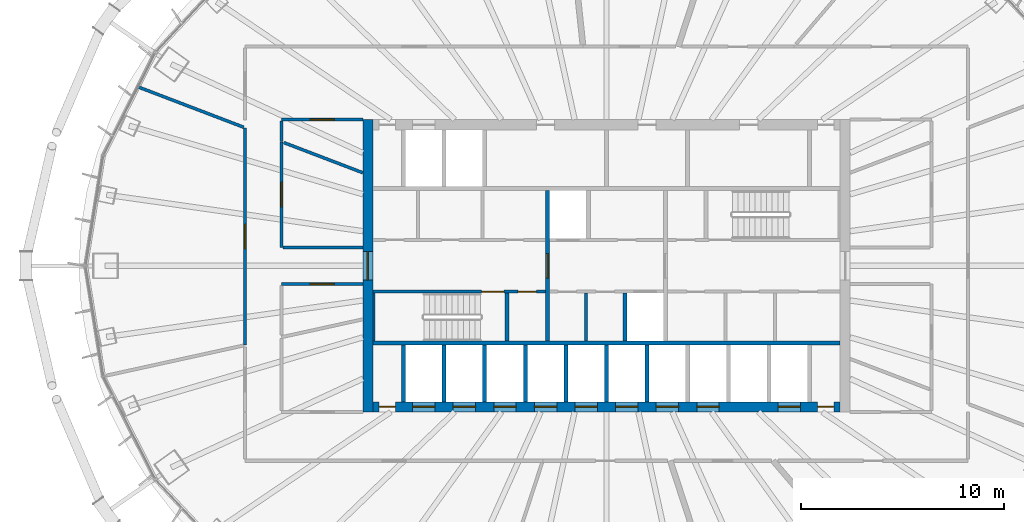
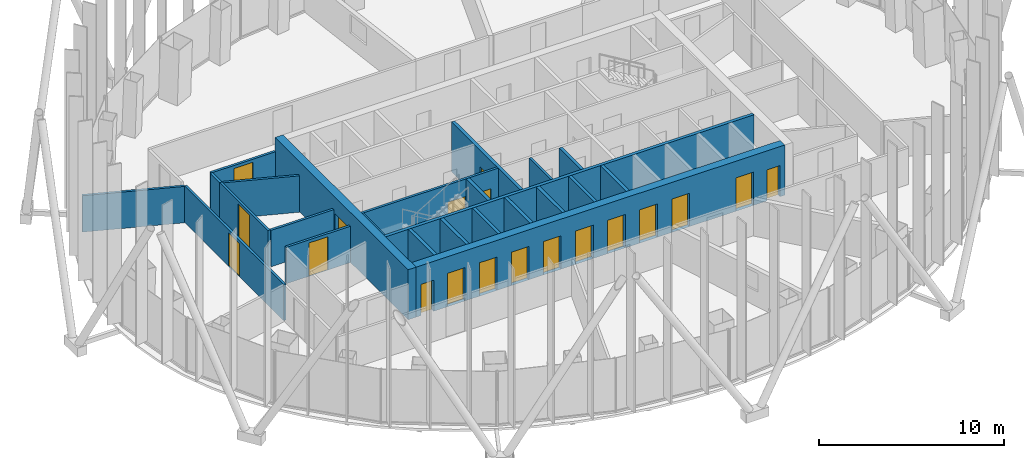
# One storey, part 9 of 20: 24 walls, 19 doors, 19 openings.
"""IFC4 building model written with IfcOpenShell, lengths in metres."""

from ifc_helpers import new_model, si_unit, direction, frame, frame_2d, origin, place, context, subcontext, project, spatial, rectangle, extrude, material, layer, layer_set, type_object, element, fill, save


model = new_model("IFC4")

# Units and contexts
model_context = context("Model", 3, precision=1e-05, world=origin(), true_north=direction((0.0, 1.0)))
body_context = subcontext(model_context, "Body", "Model", "MODEL_VIEW")
ifc_project = project(units=[si_unit("LENGTHUNIT", "METRE"), si_unit("AREAUNIT", "SQUARE_METRE"), si_unit("VOLUMEUNIT", "CUBIC_METRE"), si_unit("PLANEANGLEUNIT", "RADIAN"), si_unit("MASSUNIT", "GRAM", prefix="KILO")], contexts=[model_context])

# Site, building, storey
site_placement = place(None, origin())
site = spatial("IfcSite", under=ifc_project, at=site_placement, CompositionType="ELEMENT")
building_placement = place(site_placement, origin())
building = spatial("IfcBuilding", under=site, at=building_placement, Name="Siaravel Broadcast Tower", CompositionType="ELEMENT")
storey_placement = place(building_placement, frame((0.0, 0.0, 108.199951171875)))
storey = spatial("IfcBuildingStorey", under=building, at=storey_placement, Name="L25", CompositionType="ELEMENT", Elevation=108.199951171875)

# Wall
ifc_material_1 = material(Name="Concrete blockwork", Category="masonry")
ifc_layer_1 = layer(ifc_material_1, 0.14990234375)
ifc_layer_set_1 = layer_set([ifc_layer_1], Name="Concrete blockwork")
wall_type_1 = type_object("IfcWallType", Name="Core partition 150", PredefinedType="PARTITIONING", material=ifc_layer_set_1)
wall_1_placement = place(storey_placement, frame((-1.0, -3.699951171875, 0.0), z_axis=(0.0, 0.0, 1.0), x_axis=(0.0, 1.0, 0.0)))
element("IfcWall", 1, at=wall_1_placement, inside=storey, type_object=wall_type_1, Name="L25 core partition PSM0", PredefinedType="PARTITIONING", context=body_context, shape_type="SweptSolid", body=[
    extrude(rectangle(XDim=2.349853515625, YDim=0.14990234375, at=frame_2d((1.1748046875, 0.0))), origin(), (0.0, 0.0, 1.0), 3.300048828125),
])

# Wall, opening, door
ifc_material_2 = material(Name="Concrete C60/75", Category="concrete")
ifc_layer_2 = layer(ifc_material_2, 0.5)
ifc_layer_set_2 = layer_set([ifc_layer_2], Name="Concrete C60/75")
wall_type_2 = type_object("IfcWallType", Name="Core wall 500", PredefinedType="SHEAR", material=ifc_layer_set_2)
wall_2_placement = place(storey_placement, frame((-11.75, -7.199951171875, 0.0), z_axis=(0.0, 0.0, 1.0), x_axis=(0.0, 1.0, 0.0)))
wall_2 = element("IfcWall", 2, at=wall_2_placement, inside=storey, type_object=wall_type_2, Name="L25 core wall OW", PredefinedType="SHEAR", context=body_context, shape_type="SweptSolid", body=[
    extrude(rectangle(XDim=14.39990234375, YDim=0.5, at=frame_2d((7.199951171875, 0.0))), origin(), (0.0, 0.0, 1.0), 3.300048828125),
])
opening_1_placement = place(wall_2_placement, frame((6.5, 0.0, 0.0)))
opening_1 = element("IfcOpeningElement", 3, at=opening_1_placement, cuts=wall_2, Name="Opening L25-DX-W", PredefinedType="OPENING", context=body_context, shape_type="SweptSolid", body=[
    extrude(rectangle(XDim=1.39990234375, YDim=2.199951171875, at=frame_2d((0.699951171875, 1.10009765625))), frame((0.0, 0.260009765625, 0.0), z_axis=(0.0, -1.0, 0.0), x_axis=(1.0, 0.0, 0.0)), (0.0, 0.0, 1.0), 0.52001953125),
])
ifc_material_3 = material(Name="Steel", Category="steel")
door_type_1 = type_object("IfcDoorType", Name="Core exit door 1400", OperationType="DOUBLE_DOOR_SINGLE_SWING", PredefinedType="DOOR", material=ifc_material_3)
door_1_placement = place(opening_1_placement, origin())
door_1 = element("IfcDoor", 4, at=door_1_placement, inside=storey, type_object=door_type_1, Name="L25 door DX-W", OperationType="DOUBLE_DOOR_SINGLE_SWING", OverallHeight=2.199951171875, OverallWidth=1.39990234375, PredefinedType="DOOR", context=body_context, shape_type="SweptSolid", body=[
    extrude(rectangle(XDim=1.39990234375, YDim=2.199951171875, at=frame_2d((0.699951171875, 1.10009765625))), frame((0.0, 0.02490234375, 0.0), z_axis=(0.0, -1.0, 0.0), x_axis=(1.0, 0.0, 0.0)), (0.0, 0.0, 1.0), 0.050048828125),
])
fill(opening_1, door_1)

# Wall, openings, doors
wall_3_placement = place(storey_placement, frame((-11.5, -6.949951171875, 0.0), z_axis=(0.0, 0.0, 1.0), x_axis=(1.0, 0.0, 0.0)))
wall_3 = element("IfcWall", 5, at=wall_3_placement, inside=storey, type_object=wall_type_2, Name="L25 core wall OS", PredefinedType="SHEAR", context=body_context, shape_type="SweptSolid", body=[
    extrude(rectangle(XDim=23.0, YDim=0.5, at=frame_2d((11.5, 0.0))), origin(), (0.0, 0.0, 1.0), 3.300048828125),
])
opening_2_placement = place(wall_3_placement, frame((1.949951171875, 0.0, 0.0)))
opening_2 = element("IfcOpeningElement", 6, at=opening_2_placement, cuts=wall_3, Name="Opening LD-LP1-L25", PredefinedType="OPENING", context=body_context, shape_type="SweptSolid", body=[
    extrude(rectangle(XDim=1.10009765625, YDim=2.199951171875, at=frame_2d((0.550048828125, 1.10009765625))), frame((0.0, 0.260009765625, 0.0), z_axis=(0.0, -1.0, 0.0), x_axis=(1.0, 0.0, 0.0)), (0.0, 0.0, 1.0), 0.52001953125),
])
opening_3_placement = place(wall_3_placement, frame((3.949951171875, 0.0, 0.0)))
opening_3 = element("IfcOpeningElement", 7, at=opening_3_placement, cuts=wall_3, Name="Opening LD-LP2-L25", PredefinedType="OPENING", context=body_context, shape_type="SweptSolid", body=[
    extrude(rectangle(XDim=1.10009765625, YDim=2.199951171875, at=frame_2d((0.550048828125, 1.10009765625))), frame((0.0, 0.260009765625, 0.0), z_axis=(0.0, -1.0, 0.0), x_axis=(1.0, 0.0, 0.0)), (0.0, 0.0, 1.0), 0.52001953125),
])
opening_4_placement = place(wall_3_placement, frame((5.949951171875, 0.0, 0.0)))
opening_4 = element("IfcOpeningElement", 8, at=opening_4_placement, cuts=wall_3, Name="Opening LD-LP3-L25", PredefinedType="OPENING", context=body_context, shape_type="SweptSolid", body=[
    extrude(rectangle(XDim=1.10009765625, YDim=2.199951171875, at=frame_2d((0.550048828125, 1.10009765625))), frame((0.0, 0.260009765625, 0.0), z_axis=(0.0, -1.0, 0.0), x_axis=(1.0, 0.0, 0.0)), (0.0, 0.0, 1.0), 0.52001953125),
])
opening_5_placement = place(wall_3_placement, frame((7.949951171875, 0.0, 0.0)))
opening_5 = element("IfcOpeningElement", 9, at=opening_5_placement, cuts=wall_3, Name="Opening LD-LP4-L25", PredefinedType="OPENING", context=body_context, shape_type="SweptSolid", body=[
    extrude(rectangle(XDim=1.10009765625, YDim=2.199951171875, at=frame_2d((0.550048828125, 1.10009765625))), frame((0.0, 0.260009765625, 0.0), z_axis=(0.0, -1.0, 0.0), x_axis=(1.0, 0.0, 0.0)), (0.0, 0.0, 1.0), 0.52001953125),
])
opening_6_placement = place(wall_3_placement, frame((9.949951171875, 0.0, 0.0)))
opening_6 = element("IfcOpeningElement", 10, at=opening_6_placement, cuts=wall_3, Name="Opening LD-LP5-L25", PredefinedType="OPENING", context=body_context, shape_type="SweptSolid", body=[
    extrude(rectangle(XDim=1.10009765625, YDim=2.199951171875, at=frame_2d((0.550048828125, 1.10009765625))), frame((0.0, 0.260009765625, 0.0), z_axis=(0.0, -1.0, 0.0), x_axis=(1.0, 0.0, 0.0)), (0.0, 0.0, 1.0), 0.52001953125),
])
opening_7_placement = place(wall_3_placement, frame((11.949951171875, 0.0, 0.0)))
opening_7 = element("IfcOpeningElement", 11, at=opening_7_placement, cuts=wall_3, Name="Opening LD-LP6-L25", PredefinedType="OPENING", context=body_context, shape_type="SweptSolid", body=[
    extrude(rectangle(XDim=1.10009765625, YDim=2.199951171875, at=frame_2d((0.550048828125, 1.10009765625))), frame((0.0, 0.260009765625, 0.0), z_axis=(0.0, -1.0, 0.0), x_axis=(1.0, 0.0, 0.0)), (0.0, 0.0, 1.0), 0.52001953125),
])
opening_8_placement = place(wall_3_placement, frame((13.949951171875, 0.0, 0.0)))
opening_8 = element("IfcOpeningElement", 12, at=opening_8_placement, cuts=wall_3, Name="Opening LD-LP7-L25", PredefinedType="OPENING", context=body_context, shape_type="SweptSolid", body=[
    extrude(rectangle(XDim=1.10009765625, YDim=2.199951171875, at=frame_2d((0.550048828125, 1.10009765625))), frame((0.0, 0.260009765625, 0.0), z_axis=(0.0, -1.0, 0.0), x_axis=(1.0, 0.0, 0.0)), (0.0, 0.0, 1.0), 0.52001953125),
])
opening_9_placement = place(wall_3_placement, frame((15.949951171875, 0.0, 0.0)))
opening_9 = element("IfcOpeningElement", 13, at=opening_9_placement, cuts=wall_3, Name="Opening LD-LP8-L25", PredefinedType="OPENING", context=body_context, shape_type="SweptSolid", body=[
    extrude(rectangle(XDim=1.10009765625, YDim=2.199951171875, at=frame_2d((0.550048828125, 1.10009765625))), frame((0.0, 0.260009765625, 0.0), z_axis=(0.0, -1.0, 0.0), x_axis=(1.0, 0.0, 0.0)), (0.0, 0.0, 1.0), 0.52001953125),
])
opening_10_placement = place(wall_3_placement, frame((19.949951171875, 0.0, 0.0)))
opening_10 = element("IfcOpeningElement", 14, at=opening_10_placement, cuts=wall_3, Name="Opening LD-SV1-L25", PredefinedType="OPENING", context=body_context, shape_type="SweptSolid", body=[
    extrude(rectangle(XDim=1.10009765625, YDim=2.199951171875, at=frame_2d((0.550048828125, 1.10009765625))), frame((0.0, 0.260009765625, 0.0), z_axis=(0.0, -1.0, 0.0), x_axis=(1.0, 0.0, 0.0)), (0.0, 0.0, 1.0), 0.52001953125),
])
opening_11_placement = place(wall_3_placement, frame((0.300048828125, 0.0, 0.0)))
opening_11 = element("IfcOpeningElement", 15, at=opening_11_placement, cuts=wall_3, Name="Opening L25-DRSW", PredefinedType="OPENING", context=body_context, shape_type="SweptSolid", body=[
    extrude(rectangle(XDim=0.800048828125, YDim=2.050048828125, at=frame_2d((0.39990234375, 1.02490234375))), frame((0.0, 0.260009765625, 0.0), z_axis=(0.0, -1.0, 0.0), x_axis=(1.0, 0.0, 0.0)), (0.0, 0.0, 1.0), 0.52001953125),
])
opening_12_placement = place(wall_3_placement, frame((21.89990234375, 0.0, 0.0)))
opening_12 = element("IfcOpeningElement", 16, at=opening_12_placement, cuts=wall_3, Name="Opening L25-DRSE", PredefinedType="OPENING", context=body_context, shape_type="SweptSolid", body=[
    extrude(rectangle(XDim=0.800048828125, YDim=2.050048828125, at=frame_2d((0.39990234375, 1.02490234375))), frame((0.0, 0.260009765625, 0.0), z_axis=(0.0, -1.0, 0.0), x_axis=(1.0, 0.0, 0.0)), (0.0, 0.0, 1.0), 0.52001953125),
])
ifc_material_4 = material(Name="Stainless steel 316L", Category="steel")
door_type_2 = type_object("IfcDoorType", Name="Lift landing door 1100", OperationType="DOUBLE_DOOR_SLIDING", PredefinedType="DOOR", material=ifc_material_4)
door_2_placement = place(opening_2_placement, origin())
door_2 = element("IfcDoor", 17, at=door_2_placement, inside=storey, type_object=door_type_2, Name="Landing door LP1 L25", OperationType="DOUBLE_DOOR_SLIDING", OverallHeight=2.199951171875, OverallWidth=1.10009765625, PredefinedType="DOOR", context=body_context, shape_type="SweptSolid", body=[
    extrude(rectangle(XDim=1.10009765625, YDim=2.199951171875, at=frame_2d((0.550048828125, 1.10009765625))), frame((0.0, 0.02490234375, 0.0), z_axis=(0.0, -1.0, 0.0), x_axis=(1.0, 0.0, 0.0)), (0.0, 0.0, 1.0), 0.050048828125),
])
fill(opening_2, door_2)
door_3_placement = place(opening_3_placement, origin())
door_3 = element("IfcDoor", 18, at=door_3_placement, inside=storey, type_object=door_type_2, Name="Landing door LP2 L25", OperationType="DOUBLE_DOOR_SLIDING", OverallHeight=2.199951171875, OverallWidth=1.10009765625, PredefinedType="DOOR", context=body_context, shape_type="SweptSolid", body=[
    extrude(rectangle(XDim=1.10009765625, YDim=2.199951171875, at=frame_2d((0.550048828125, 1.10009765625))), frame((0.0, 0.02490234375, 0.0), z_axis=(0.0, -1.0, 0.0), x_axis=(1.0, 0.0, 0.0)), (0.0, 0.0, 1.0), 0.050048828125),
])
fill(opening_3, door_3)
door_4_placement = place(opening_4_placement, origin())
door_4 = element("IfcDoor", 19, at=door_4_placement, inside=storey, type_object=door_type_2, Name="Landing door LP3 L25", OperationType="DOUBLE_DOOR_SLIDING", OverallHeight=2.199951171875, OverallWidth=1.10009765625, PredefinedType="DOOR", context=body_context, shape_type="SweptSolid", body=[
    extrude(rectangle(XDim=1.10009765625, YDim=2.199951171875, at=frame_2d((0.550048828125, 1.10009765625))), frame((0.0, 0.02490234375, 0.0), z_axis=(0.0, -1.0, 0.0), x_axis=(1.0, 0.0, 0.0)), (0.0, 0.0, 1.0), 0.050048828125),
])
fill(opening_4, door_4)
door_5_placement = place(opening_5_placement, origin())
door_5 = element("IfcDoor", 20, at=door_5_placement, inside=storey, type_object=door_type_2, Name="Landing door LP4 L25", OperationType="DOUBLE_DOOR_SLIDING", OverallHeight=2.199951171875, OverallWidth=1.10009765625, PredefinedType="DOOR", context=body_context, shape_type="SweptSolid", body=[
    extrude(rectangle(XDim=1.10009765625, YDim=2.199951171875, at=frame_2d((0.550048828125, 1.10009765625))), frame((0.0, 0.02490234375, 0.0), z_axis=(0.0, -1.0, 0.0), x_axis=(1.0, 0.0, 0.0)), (0.0, 0.0, 1.0), 0.050048828125),
])
fill(opening_5, door_5)
door_6_placement = place(opening_6_placement, origin())
door_6 = element("IfcDoor", 21, at=door_6_placement, inside=storey, type_object=door_type_2, Name="Landing door LP5 L25", OperationType="DOUBLE_DOOR_SLIDING", OverallHeight=2.199951171875, OverallWidth=1.10009765625, PredefinedType="DOOR", context=body_context, shape_type="SweptSolid", body=[
    extrude(rectangle(XDim=1.10009765625, YDim=2.199951171875, at=frame_2d((0.550048828125, 1.10009765625))), frame((0.0, 0.02490234375, 0.0), z_axis=(0.0, -1.0, 0.0), x_axis=(1.0, 0.0, 0.0)), (0.0, 0.0, 1.0), 0.050048828125),
])
fill(opening_6, door_6)
door_7_placement = place(opening_7_placement, origin())
door_7 = element("IfcDoor", 22, at=door_7_placement, inside=storey, type_object=door_type_2, Name="Landing door LP6 L25", OperationType="DOUBLE_DOOR_SLIDING", OverallHeight=2.199951171875, OverallWidth=1.10009765625, PredefinedType="DOOR", context=body_context, shape_type="SweptSolid", body=[
    extrude(rectangle(XDim=1.10009765625, YDim=2.199951171875, at=frame_2d((0.550048828125, 1.10009765625))), frame((0.0, 0.02490234375, 0.0), z_axis=(0.0, -1.0, 0.0), x_axis=(1.0, 0.0, 0.0)), (0.0, 0.0, 1.0), 0.050048828125),
])
fill(opening_7, door_7)
door_8_placement = place(opening_8_placement, origin())
door_8 = element("IfcDoor", 23, at=door_8_placement, inside=storey, type_object=door_type_2, Name="Landing door LP7 L25", OperationType="DOUBLE_DOOR_SLIDING", OverallHeight=2.199951171875, OverallWidth=1.10009765625, PredefinedType="DOOR", context=body_context, shape_type="SweptSolid", body=[
    extrude(rectangle(XDim=1.10009765625, YDim=2.199951171875, at=frame_2d((0.550048828125, 1.10009765625))), frame((0.0, 0.02490234375, 0.0), z_axis=(0.0, -1.0, 0.0), x_axis=(1.0, 0.0, 0.0)), (0.0, 0.0, 1.0), 0.050048828125),
])
fill(opening_8, door_8)
door_9_placement = place(opening_9_placement, origin())
door_9 = element("IfcDoor", 24, at=door_9_placement, inside=storey, type_object=door_type_2, Name="Landing door LP8 L25", OperationType="DOUBLE_DOOR_SLIDING", OverallHeight=2.199951171875, OverallWidth=1.10009765625, PredefinedType="DOOR", context=body_context, shape_type="SweptSolid", body=[
    extrude(rectangle(XDim=1.10009765625, YDim=2.199951171875, at=frame_2d((0.550048828125, 1.10009765625))), frame((0.0, 0.02490234375, 0.0), z_axis=(0.0, -1.0, 0.0), x_axis=(1.0, 0.0, 0.0)), (0.0, 0.0, 1.0), 0.050048828125),
])
fill(opening_9, door_9)
door_type_3 = type_object("IfcDoorType", Name="Riser door 800", OperationType="SINGLE_SWING_LEFT", PredefinedType="DOOR", material=ifc_material_3)
door_10_placement = place(opening_11_placement, origin())
door_10 = element("IfcDoor", 25, at=door_10_placement, inside=storey, type_object=door_type_3, Name="L25 door DRSW", OperationType="SINGLE_SWING_LEFT", OverallHeight=2.050048828125, OverallWidth=0.800048828125, PredefinedType="DOOR", context=body_context, shape_type="SweptSolid", body=[
    extrude(rectangle(XDim=0.800048828125, YDim=2.050048828125, at=frame_2d((0.39990234375, 1.02490234375))), frame((0.0, 0.02490234375, 0.0), z_axis=(0.0, -1.0, 0.0), x_axis=(1.0, 0.0, 0.0)), (0.0, 0.0, 1.0), 0.050048828125),
])
fill(opening_11, door_10)
door_11_placement = place(opening_12_placement, origin())
door_11 = element("IfcDoor", 26, at=door_11_placement, inside=storey, type_object=door_type_3, Name="L25 door DRSE", OperationType="SINGLE_SWING_LEFT", OverallHeight=2.050048828125, OverallWidth=0.800048828125, PredefinedType="DOOR", context=body_context, shape_type="SweptSolid", body=[
    extrude(rectangle(XDim=0.800048828125, YDim=2.050048828125, at=frame_2d((0.39990234375, 1.02490234375))), frame((0.0, 0.02490234375, 0.0), z_axis=(0.0, -1.0, 0.0), x_axis=(1.0, 0.0, 0.0)), (0.0, 0.0, 1.0), 0.050048828125),
])
fill(opening_12, door_11)
door_type_4 = type_object("IfcDoorType", Name="Service lift landing door 1100", OperationType="DOUBLE_DOOR_SLIDING", PredefinedType="DOOR", material=ifc_material_4)
door_12_placement = place(opening_10_placement, origin())
door_12 = element("IfcDoor", 27, at=door_12_placement, inside=storey, type_object=door_type_4, Name="Landing door SV1 L25", OperationType="DOUBLE_DOOR_SLIDING", OverallHeight=2.199951171875, OverallWidth=1.10009765625, PredefinedType="DOOR", context=body_context, shape_type="SweptSolid", body=[
    extrude(rectangle(XDim=1.10009765625, YDim=2.199951171875, at=frame_2d((0.550048828125, 1.10009765625))), frame((0.0, 0.02490234375, 0.0), z_axis=(0.0, -1.0, 0.0), x_axis=(1.0, 0.0, 0.0)), (0.0, 0.0, 1.0), 0.050048828125),
])
fill(opening_10, door_12)

# Wall, opening, door
ifc_material_5 = material(Name="Gypsum board partition", Category="gypsum")
ifc_layer_3 = layer(ifc_material_5, 0.14990234375)
ifc_layer_set_3 = layer_set([ifc_layer_3], Name="Gypsum board partition")
wall_type_3 = type_object("IfcWallType", Name="Corridor wall 150", PredefinedType="PARTITIONING", material=ifc_layer_set_3)
wall_4_placement = place(storey_placement, frame((-17.800048828125, 6.798828125, 0.0), z_axis=(0.0, 0.0, 1.0), x_axis=(0.0, -1.0, 0.0)))
wall_4 = element("IfcWall", 28, at=wall_4_placement, inside=storey, type_object=wall_type_3, Name="L25 partition 6", PredefinedType="PARTITIONING", context=body_context, shape_type="SweptSolid", body=[
    extrude(rectangle(XDim=10.70556640625, YDim=0.14990234375, at=frame_2d((5.352783203125, 0.0))), origin(), (0.0, 0.0, 1.0), 2.400146484375),
])
opening_13_placement = place(wall_4_placement, frame((4.752685546875, 0.0, 0.0)))
opening_13 = element("IfcOpeningElement", 29, at=opening_13_placement, cuts=wall_4, Name="Opening L25-013", PredefinedType="OPENING", context=body_context, shape_type="SweptSolid", body=[
    extrude(rectangle(XDim=1.199951171875, YDim=2.199951171875, at=frame_2d((0.60009765625, 1.10009765625))), frame((0.0, 0.0849609375, 0.0), z_axis=(0.0, -1.0, 0.0), x_axis=(1.0, 0.0, 0.0)), (0.0, 0.0, 1.0), 0.169921875),
])
ifc_material_6 = material(Name="Timber veneer", Category="wood")
door_type_5 = type_object("IfcDoorType", Name="Office double door 1200", OperationType="DOUBLE_DOOR_SINGLE_SWING", PredefinedType="DOOR", material=ifc_material_6)
door_13_placement = place(opening_13_placement, origin())
door_13 = element("IfcDoor", 30, at=door_13_placement, inside=storey, type_object=door_type_5, Name="L25 door to Open plan production office", OperationType="DOUBLE_DOOR_SINGLE_SWING", OverallHeight=2.199951171875, OverallWidth=1.199951171875, PredefinedType="DOOR", context=body_context, shape_type="SweptSolid", body=[
    extrude(rectangle(XDim=1.199951171875, YDim=2.199951171875, at=frame_2d((0.60009765625, 1.10009765625))), frame((0.0, 0.02490234375, 0.0), z_axis=(0.0, -1.0, 0.0), x_axis=(1.0, 0.0, 0.0)), (0.0, 0.0, 1.0), 0.050048828125),
])
fill(opening_13, door_13)

wall_5_placement = place(storey_placement, frame((-16.0, 0.89990234375, 0.0), z_axis=(0.0, 0.0, 1.0), x_axis=(0.0, 1.0, 0.0)))
wall_5 = element("IfcWall", 31, at=wall_5_placement, inside=storey, type_object=wall_type_3, Name="L25 partition 19", PredefinedType="PARTITIONING", context=body_context, shape_type="SweptSolid", body=[
    extrude(rectangle(XDim=5.21142578125, YDim=0.14990234375, at=frame_2d((2.605712890625, 0.0))), origin(), (0.0, 0.0, 1.0), 2.400146484375),
])
opening_14_placement = place(wall_5_placement, frame((2.005615234375, 0.0, 0.0)))
opening_14 = element("IfcOpeningElement", 32, at=opening_14_placement, cuts=wall_5, Name="Opening L25-015", PredefinedType="OPENING", context=body_context, shape_type="SweptSolid", body=[
    extrude(rectangle(XDim=1.199951171875, YDim=2.199951171875, at=frame_2d((0.60009765625, 1.10009765625))), frame((0.0, 0.0849609375, 0.0), z_axis=(0.0, -1.0, 0.0), x_axis=(1.0, 0.0, 0.0)), (0.0, 0.0, 1.0), 0.169921875),
])
door_14_placement = place(opening_14_placement, origin())
door_14 = element("IfcDoor", 33, at=door_14_placement, inside=storey, type_object=door_type_5, Name="L25 door to Open plan production office", OperationType="DOUBLE_DOOR_SINGLE_SWING", OverallHeight=2.199951171875, OverallWidth=1.199951171875, PredefinedType="DOOR", context=body_context, shape_type="SweptSolid", body=[
    extrude(rectangle(XDim=1.199951171875, YDim=2.199951171875, at=frame_2d((0.60009765625, 1.10009765625))), frame((0.0, 0.02490234375, 0.0), z_axis=(0.0, -1.0, 0.0), x_axis=(1.0, 0.0, 0.0)), (0.0, 0.0, 1.0), 0.050048828125),
])
fill(opening_14, door_14)

wall_6_placement = place(storey_placement, frame((-16.0, -0.89990234375, 0.0), z_axis=(0.0, 0.0, 1.0), x_axis=(1.0, 0.0, 0.0)))
wall_6 = element("IfcWall", 34, at=wall_6_placement, inside=storey, type_object=wall_type_3, Name="L25 partition 28", PredefinedType="PARTITIONING", context=body_context, shape_type="SweptSolid", body=[
    extrude(rectangle(XDim=4.0, YDim=0.14990234375, at=frame_2d((2.0, 0.0))), origin(), (0.0, 0.0, 1.0), 2.400146484375),
])
opening_15_placement = place(wall_6_placement, frame((1.39990234375, 0.0, 0.0)))
opening_15 = element("IfcOpeningElement", 35, at=opening_15_placement, cuts=wall_6, Name="Opening L25-014", PredefinedType="OPENING", context=body_context, shape_type="SweptSolid", body=[
    extrude(rectangle(XDim=1.199951171875, YDim=2.199951171875, at=frame_2d((0.60009765625, 1.10009765625))), frame((0.0, 0.0849609375, 0.0), z_axis=(0.0, -1.0, 0.0), x_axis=(1.0, 0.0, 0.0)), (0.0, 0.0, 1.0), 0.169921875),
])
door_15_placement = place(opening_15_placement, origin())
door_15 = element("IfcDoor", 36, at=door_15_placement, inside=storey, type_object=door_type_5, Name="L25 door to Open plan production office", OperationType="DOUBLE_DOOR_SINGLE_SWING", OverallHeight=2.199951171875, OverallWidth=1.199951171875, PredefinedType="DOOR", context=body_context, shape_type="SweptSolid", body=[
    extrude(rectangle(XDim=1.199951171875, YDim=2.199951171875, at=frame_2d((0.60009765625, 1.10009765625))), frame((0.0, 0.02490234375, 0.0), z_axis=(0.0, -1.0, 0.0), x_axis=(1.0, 0.0, 0.0)), (0.0, 0.0, 1.0), 0.050048828125),
])
fill(opening_15, door_15)

wall_7_placement = place(storey_placement, frame((-16.0, 7.199951171875, 0.0), z_axis=(0.0, 0.0, 1.0), x_axis=(1.0, 0.0, 0.0)))
wall_7 = element("IfcWall", 37, at=wall_7_placement, inside=storey, type_object=wall_type_3, Name="L25 partition 29", PredefinedType="PARTITIONING", context=body_context, shape_type="SweptSolid", body=[
    extrude(rectangle(XDim=4.0, YDim=0.14990234375, at=frame_2d((2.0, 0.0))), origin(), (0.0, 0.0, 1.0), 2.400146484375),
])
opening_16_placement = place(wall_7_placement, frame((1.39990234375, 0.0, 0.0)))
opening_16 = element("IfcOpeningElement", 38, at=opening_16_placement, cuts=wall_7, Name="Opening L25-010", PredefinedType="OPENING", context=body_context, shape_type="SweptSolid", body=[
    extrude(rectangle(XDim=1.199951171875, YDim=2.199951171875, at=frame_2d((0.60009765625, 1.10009765625))), frame((0.0, 0.0849609375, 0.0), z_axis=(0.0, -1.0, 0.0), x_axis=(1.0, 0.0, 0.0)), (0.0, 0.0, 1.0), 0.169921875),
])
door_16_placement = place(opening_16_placement, origin())
door_16 = element("IfcDoor", 39, at=door_16_placement, inside=storey, type_object=door_type_5, Name="L25 door to Open plan production office", OperationType="DOUBLE_DOOR_SINGLE_SWING", OverallHeight=2.199951171875, OverallWidth=1.199951171875, PredefinedType="DOOR", context=body_context, shape_type="SweptSolid", body=[
    extrude(rectangle(XDim=1.199951171875, YDim=2.199951171875, at=frame_2d((0.60009765625, 1.10009765625))), frame((0.0, 0.02490234375, 0.0), z_axis=(0.0, -1.0, 0.0), x_axis=(1.0, 0.0, 0.0)), (0.0, 0.0, 1.0), 0.050048828125),
])
fill(opening_16, door_16)

# Walls
wall_8_placement = place(storey_placement, frame((-12.0, 0.89990234375, 0.0), z_axis=(0.0, 0.0, 1.0), x_axis=(-1.0, 0.0, 0.0)))
element("IfcWall", 40, at=wall_8_placement, inside=storey, type_object=wall_type_3, Name="L25 partition 31", PredefinedType="PARTITIONING", context=body_context, shape_type="SweptSolid", body=[
    extrude(rectangle(XDim=3.923095703125, YDim=0.14990234375, at=frame_2d((1.96142578125, 0.0))), origin(), (0.0, 0.0, 1.0), 2.400146484375),
])
wall_9_placement = place(storey_placement, frame((-16.0, 6.1123046875, 0.0), z_axis=(0.0, 0.0, 1.0), x_axis=(0.0, 1.0, 0.0)))
element("IfcWall", 41, at=wall_9_placement, inside=storey, type_object=wall_type_3, Name="L25 partition 43", PredefinedType="PARTITIONING", context=body_context, shape_type="SweptSolid", body=[
    extrude(rectangle(XDim=1.0107421875, YDim=0.14990234375, at=frame_2d((0.50537109375, 0.0))), origin(), (0.0, 0.0, 1.0), 2.400146484375),
])
ifc_layer_4 = layer(ifc_material_5, 0.14990234375)
ifc_layer_set_4 = layer_set([ifc_layer_4], Name="Gypsum board partition")
wall_type_4 = type_object("IfcWallType", Name="Room partition 150", PredefinedType="PARTITIONING", material=ifc_layer_set_4)
wall_10_placement = place(storey_placement, frame((-23.09375, 8.82080078125, 0.0), z_axis=(0.0, 0.0, 1.0), x_axis=(0.934174226, -0.356817201, 0.0)))
element("IfcWall", 42, at=wall_10_placement, inside=storey, type_object=wall_type_4, Name="L25 partition 16", PredefinedType="PARTITIONING", context=body_context, shape_type="SweptSolid", body=[
    extrude(rectangle(XDim=5.5947265625, YDim=0.14990234375, at=frame_2d((2.79736328125, 0.0))), origin(), (0.0, 0.0, 1.0), 2.400146484375),
])
wall_11_placement = place(storey_placement, frame((-15.896484375, 6.07177734375, 0.0), z_axis=(0.0, 0.0, 1.0), x_axis=(0.934175823, -0.356813021, 0.0)))
element("IfcWall", 43, at=wall_11_placement, inside=storey, type_object=wall_type_4, Name="L25 partition 24", PredefinedType="PARTITIONING", context=body_context, shape_type="SweptSolid", body=[
    extrude(rectangle(XDim=4.171142578125, YDim=0.14990234375, at=frame_2d((2.08544921875, 0.0))), origin(), (0.0, 0.0, 1.0), 2.400146484375),
])
ifc_layer_5 = layer(ifc_material_2, 0.10009765625)
ifc_layer_set_5 = layer_set([ifc_layer_5], Name="Concrete C60/75")
wall_type_5 = type_object("IfcWallType", Name="Shaft wall 100", PredefinedType="SHEAR", material=ifc_layer_set_5)
wall_12_placement = place(storey_placement, frame((-11.449951171875, -3.699951171875, 0.0), z_axis=(0.0, 0.0, 1.0), x_axis=(0.0, 1.0, 0.0)))
element("IfcWall", 44, at=wall_12_placement, inside=storey, type_object=wall_type_5, Name="L25 core wall ST1W", PredefinedType="SHEAR", context=body_context, shape_type="SweptSolid", body=[
    extrude(rectangle(XDim=2.349853515625, YDim=0.10009765625, at=frame_2d((1.1748046875, 0.0))), origin(), (0.0, 0.0, 1.0), 3.300048828125),
])

# Wall, openings, doors
ifc_layer_6 = layer(ifc_material_2, 0.14990234375)
ifc_layer_set_6 = layer_set([ifc_layer_6], Name="Concrete C60/75")
wall_type_6 = type_object("IfcWallType", Name="Shaft wall 150", PredefinedType="SHEAR", material=ifc_layer_set_6)
wall_13_placement = place(storey_placement, frame((-11.5, -1.27490234375, 0.0), z_axis=(0.0, 0.0, 1.0), x_axis=(1.0, 0.0, 0.0)))
wall_13 = element("IfcWall", 45, at=wall_13_placement, inside=storey, type_object=wall_type_6, Name="L25 core wall CSW", PredefinedType="SHEAR", context=body_context, shape_type="SweptSolid", body=[
    extrude(rectangle(XDim=8.5, YDim=0.14990234375, at=frame_2d((4.25, 0.0))), origin(), (0.0, 0.0, 1.0), 3.300048828125),
])
opening_17_placement = place(wall_13_placement, frame((5.35009765625, 0.0, 0.0)))
opening_17 = element("IfcOpeningElement", 46, at=opening_17_placement, cuts=wall_13, Name="Opening L25-DS-1", PredefinedType="OPENING", context=body_context, shape_type="SweptSolid", body=[
    extrude(rectangle(XDim=1.10009765625, YDim=2.14990234375, at=frame_2d((0.550048828125, 1.074951171875))), frame((0.0, 0.0849609375, 0.0), z_axis=(0.0, -1.0, 0.0), x_axis=(1.0, 0.0, 0.0)), (0.0, 0.0, 1.0), 0.169921875),
])
opening_18_placement = place(wall_13_placement, frame((7.14990234375, 0.0, 0.0)))
opening_18 = element("IfcOpeningElement", 47, at=opening_18_placement, cuts=wall_13, Name="Opening L25-DSW0", PredefinedType="OPENING", context=body_context, shape_type="SweptSolid", body=[
    extrude(rectangle(XDim=0.89990234375, YDim=2.10009765625, at=frame_2d((0.449951171875, 1.050048828125))), frame((0.0, 0.0849609375, 0.0), z_axis=(0.0, -1.0, 0.0), x_axis=(1.0, 0.0, 0.0)), (0.0, 0.0, 1.0), 0.169921875),
])
door_type_6 = type_object("IfcDoorType", Name="Core room door 900", OperationType="SINGLE_SWING_LEFT", PredefinedType="DOOR", material=ifc_material_6)
door_17_placement = place(opening_18_placement, origin())
door_17 = element("IfcDoor", 48, at=door_17_placement, inside=storey, type_object=door_type_6, Name="L25 door DSW0", OperationType="SINGLE_SWING_LEFT", OverallHeight=2.10009765625, OverallWidth=0.89990234375, PredefinedType="DOOR", context=body_context, shape_type="SweptSolid", body=[
    extrude(rectangle(XDim=0.89990234375, YDim=2.10009765625, at=frame_2d((0.449951171875, 1.050048828125))), frame((0.0, 0.02490234375, 0.0), z_axis=(0.0, -1.0, 0.0), x_axis=(1.0, 0.0, 0.0)), (0.0, 0.0, 1.0), 0.050048828125),
])
fill(opening_18, door_17)
door_type_7 = type_object("IfcDoorType", Name="Stair door 1100", OperationType="SINGLE_SWING_LEFT", PredefinedType="DOOR", material=ifc_material_3)
door_18_placement = place(opening_17_placement, origin())
door_18 = element("IfcDoor", 49, at=door_18_placement, inside=storey, type_object=door_type_7, Name="L25 door DS-1", OperationType="SINGLE_SWING_LEFT", OverallHeight=2.14990234375, OverallWidth=1.10009765625, PredefinedType="DOOR", context=body_context, shape_type="SweptSolid", body=[
    extrude(rectangle(XDim=1.10009765625, YDim=2.14990234375, at=frame_2d((0.550048828125, 1.074951171875))), frame((0.0, 0.02490234375, 0.0), z_axis=(0.0, -1.0, 0.0), x_axis=(1.0, 0.0, 0.0)), (0.0, 0.0, 1.0), 0.050048828125),
])
fill(opening_17, door_18)

# Walls
ifc_layer_7 = layer(ifc_material_2, 0.199951171875)
ifc_layer_set_7 = layer_set([ifc_layer_7], Name="Concrete C60/75")
wall_type_7 = type_object("IfcWallType", Name="Shaft wall 200", PredefinedType="SHEAR", material=ifc_layer_set_7)
wall_14_placement = place(storey_placement, frame((-11.5, -3.800048828125, 0.0), z_axis=(0.0, 0.0, 1.0), x_axis=(1.0, 0.0, 0.0)))
element("IfcWall", 50, at=wall_14_placement, inside=storey, type_object=wall_type_7, Name="L25 core wall BS", PredefinedType="SHEAR", context=body_context, shape_type="SweptSolid", body=[
    extrude(rectangle(XDim=23.0, YDim=0.199951171875, at=frame_2d((11.5, 0.0))), origin(), (0.0, 0.0, 1.0), 3.300048828125),
])
for number, where, z_axis, x_axis, name in (
    (51, (-10.0, -6.699951171875, 0.0), (0.0, 0.0, 1.0), (0.0, 1.0, 0.0), "L25 core wall SWS0"),
    (52, (-8.0, -6.699951171875, 0.0), (0.0, 0.0, 1.0), (0.0, 1.0, 0.0), "L25 core wall SWS1"),
    (53, (-6.0, -6.699951171875, 0.0), (0.0, 0.0, 1.0), (0.0, 1.0, 0.0), "L25 core wall SWS2"),
    (54, (-4.0, -6.699951171875, 0.0), (0.0, 0.0, 1.0), (0.0, 1.0, 0.0), "L25 core wall SWS3"),
    (55, (-2.0, -6.699951171875, 0.0), (0.0, 0.0, 1.0), (0.0, 1.0, 0.0), "L25 core wall SWS4"),
    (56, (0.0, -6.699951171875, 0.0), (0.0, 0.0, 1.0), (0.0, 1.0, 0.0), "L25 core wall SWS5"),
    (57, (2.0, -6.699951171875, 0.0), (0.0, 0.0, 1.0), (0.0, 1.0, 0.0), "L25 core wall SWS6"),
):
    element("IfcWall", number, at=place(storey_placement, frame(where, z_axis=z_axis, x_axis=x_axis)), inside=storey, type_object=wall_type_7, Name=name, PredefinedType="SHEAR", context=body_context, shape_type="SweptSolid", body=[
        extrude(rectangle(XDim=2.800048828125, YDim=0.199951171875, at=frame_2d((1.39990234375, 0.0))), origin(), (0.0, 0.0, 1.0), 3.300048828125),
    ])

# Wall, opening, door
wall_15_placement = place(storey_placement, frame((-2.89990234375, -3.699951171875, 0.0), z_axis=(0.0, 0.0, 1.0), x_axis=(0.0, 1.0, 0.0)))
wall_15 = element("IfcWall", 58, at=wall_15_placement, inside=storey, type_object=wall_type_7, Name="L25 core wall LW", PredefinedType="SHEAR", context=body_context, shape_type="SweptSolid", body=[
    extrude(rectangle(XDim=7.39990234375, YDim=0.199951171875, at=frame_2d((3.699951171875, 0.0))), origin(), (0.0, 0.0, 1.0), 3.300048828125),
])
opening_19_placement = place(wall_15_placement, frame((3.10009765625, 0.0, 0.0)))
opening_19 = element("IfcOpeningElement", 59, at=opening_19_placement, cuts=wall_15, Name="Opening L25-DL-W", PredefinedType="OPENING", context=body_context, shape_type="SweptSolid", body=[
    extrude(rectangle(XDim=1.199951171875, YDim=2.199951171875, at=frame_2d((0.60009765625, 1.10009765625))), frame((0.0, 0.10986328125, 0.0), z_axis=(0.0, -1.0, 0.0), x_axis=(1.0, 0.0, 0.0)), (0.0, 0.0, 1.0), 0.219970703125),
])
door_type_8 = type_object("IfcDoorType", Name="Firefighting lobby door 1200", OperationType="SINGLE_SWING_LEFT", PredefinedType="DOOR", material=ifc_material_3)
door_19_placement = place(opening_19_placement, origin())
door_19 = element("IfcDoor", 60, at=door_19_placement, inside=storey, type_object=door_type_8, Name="L25 door DL-W", OperationType="SINGLE_SWING_LEFT", OverallHeight=2.199951171875, OverallWidth=1.199951171875, PredefinedType="DOOR", context=body_context, shape_type="SweptSolid", body=[
    extrude(rectangle(XDim=1.199951171875, YDim=2.199951171875, at=frame_2d((0.60009765625, 1.10009765625))), frame((0.0, 0.02490234375, 0.0), z_axis=(0.0, -1.0, 0.0), x_axis=(1.0, 0.0, 0.0)), (0.0, 0.0, 1.0), 0.050048828125),
])
fill(opening_19, door_19)

# Walls
for number, where, z_axis, x_axis, name in (
    (61, (0.89990234375, -3.699951171875, 0.0), (0.0, 0.0, 1.0), (0.0, 1.0, 0.0), "L25 core wall FF2W"),
    (62, (-4.89990234375, -3.699951171875, 0.0), (0.0, 0.0, 1.0), (0.0, 1.0, 0.0), "L25 core wall ST1E"),
):
    element("IfcWall", number, at=place(storey_placement, frame(where, z_axis=z_axis, x_axis=x_axis)), inside=storey, type_object=wall_type_7, Name=name, PredefinedType="SHEAR", context=body_context, shape_type="SweptSolid", body=[
        extrude(rectangle(XDim=2.349853515625, YDim=0.199951171875, at=frame_2d((1.1748046875, 0.0))), origin(), (0.0, 0.0, 1.0), 3.300048828125),
    ])

save(model, "model.ifc")
